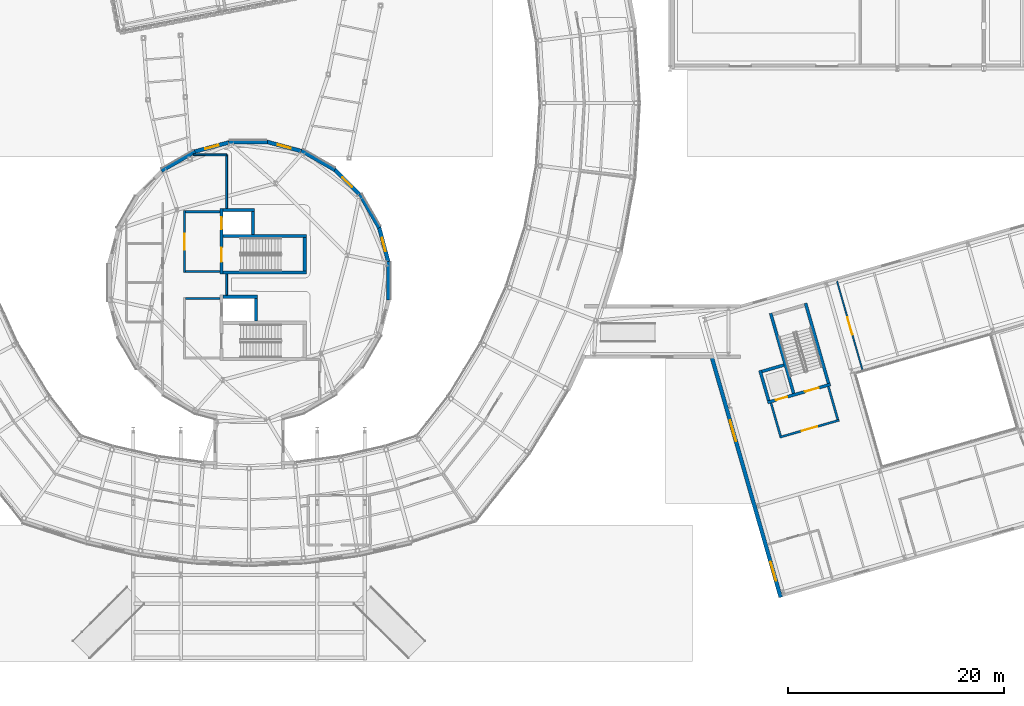
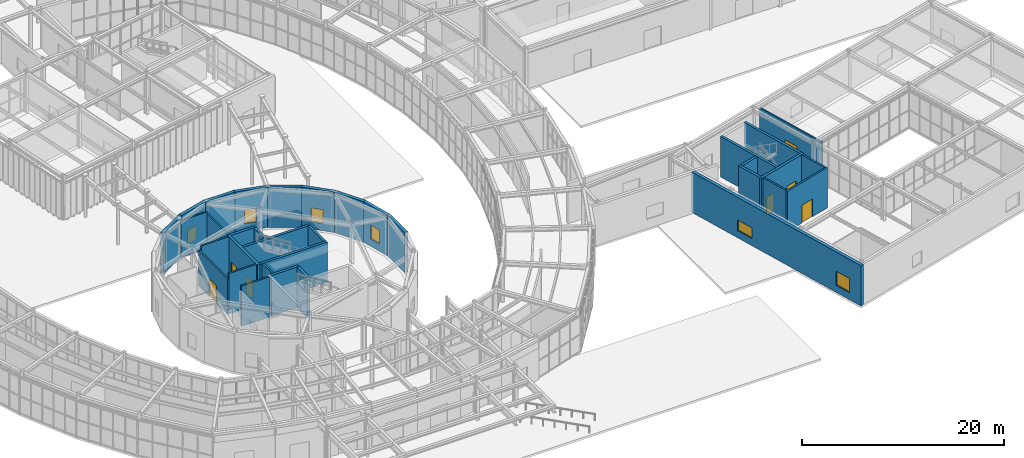
# One storey, part 73 of 97: 34 walls, 7 doors, 6 windows, 13 openings.
"""IFC4 building model written with IfcOpenShell, lengths in metres."""

from ifc_helpers import new_model, si_unit, direction, frame, frame_2d, origin, place, context, subcontext, project, spatial, rectangle, extrude, material, layer, layer_set, type_object, element, fill, save


model = new_model("IFC4")

# Units and contexts
model_context = context("Model", 3, precision=1e-05, world=origin(), true_north=direction((0.0, 1.0)))
body_context = subcontext(model_context, "Body", "Model", "MODEL_VIEW")
ifc_project = project(units=[si_unit("LENGTHUNIT", "METRE"), si_unit("AREAUNIT", "SQUARE_METRE"), si_unit("VOLUMEUNIT", "CUBIC_METRE"), si_unit("PLANEANGLEUNIT", "RADIAN"), si_unit("MASSUNIT", "GRAM", prefix="KILO")], contexts=[model_context])

# Site, building, storey
site_placement = place(None, origin())
site = spatial("IfcSite", under=ifc_project, at=site_placement, CompositionType="ELEMENT")
building_placement = place(site_placement, origin())
building = spatial("IfcBuilding", under=site, at=building_placement, Name="Varnklinge Art Gallery", CompositionType="ELEMENT")
storey_placement = place(building_placement, origin())
storey = spatial("IfcBuildingStorey", under=building, at=storey_placement, Name="L00", CompositionType="ELEMENT", Elevation=0.0)

# Walls
ifc_material_1 = material(Name="Concrete C40/50", Category="concrete")
ifc_layer_1 = layer(ifc_material_1, 0.360107421875)
ifc_layer_set_1 = layer_set([ifc_layer_1], Name="Concrete C40/50")
wall_type_1 = type_object("IfcWallType", Name="EW-36", PredefinedType="SOLIDWALL", material=ifc_layer_set_1)
wall_1_placement = place(storey_placement, frame((88.406982421875, 40.379150390625, 0.0), z_axis=(0.0, 0.0, 1.0), x_axis=(0.0, -1.0, 0.0)))
element("IfcWall", 1, at=wall_1_placement, inside=storey, type_object=wall_type_1, Name="L00 Exterior Wall EW-V4D-L00-01", PredefinedType="SOLIDWALL", context=body_context, shape_type="SweptSolid", body=[
    extrude(rectangle(XDim=3.578369140625, YDim=0.360107421875, at=frame_2d((1.7890625, 0.0))), origin(), (0.0, 0.0, 1.0), 4.8798828125),
])
wall_2_placement = place(storey_placement, frame((67.4189453125, 48.73828125, 0.0), z_axis=(0.0, 0.0, 1.0), x_axis=(0.866021986329, 0.500005919159, 0.0)))
element("IfcWall", 2, at=wall_2_placement, inside=storey, type_object=wall_type_1, Name="L00 Exterior Wall EW-V4D-L00-16", PredefinedType="SOLIDWALL", context=body_context, shape_type="SweptSolid", body=[
    extrude(rectangle(XDim=3.57861328125, YDim=0.360107421875, at=frame_2d((1.789306640625, 0.0))), origin(), (0.0, 0.0, 1.0), 4.8798828125),
])

# Wall, opening, window
wall_3_placement = place(storey_placement, frame((70.34423828125, 50.48095703125, 0.0), z_axis=(0.0, 0.0, 1.0), x_axis=(0.965936480014, 0.258779281586, 0.0)))
wall_3 = element("IfcWall", 3, at=wall_3_placement, inside=storey, type_object=wall_type_1, Name="L00 Exterior Wall EW-V4D-L00-17", PredefinedType="SOLIDWALL", context=body_context, shape_type="SweptSolid", body=[
    extrude(rectangle(XDim=3.578369140625, YDim=0.360107421875, at=frame_2d((1.7890625, 0.0))), origin(), (0.0, 0.0, 1.0), 4.8798828125),
])
opening_1_placement = place(wall_3_placement, frame((1.164306640625, 0.0, 0.85009765625)))
opening_1 = element("IfcOpeningElement", 4, at=opening_1_placement, cuts=wall_3, Name="Opening WN-09", PredefinedType="OPENING", context=body_context, shape_type="SweptSolid", body=[
    extrude(rectangle(XDim=1.25, YDim=1.699951171875, at=frame_2d((0.625, 0.85009765625))), frame((0.0, 0.190185546875, 0.0), z_axis=(0.0, -1.0, 0.0), x_axis=(1.0, 0.0, 0.0)), (0.0, 0.0, 1.0), 0.380126953125),
])
ifc_material_2 = material(Name="Insulated Low-E Triple Glazing", Category="glass")
window_type_1 = type_object("IfcWindowType", Name="WN-09", PartitioningType="SINGLE_PANEL", PredefinedType="WINDOW", material=ifc_material_2)
window_1_placement = place(opening_1_placement, origin())
window_1 = element("IfcWindow", 5, at=window_1_placement, inside=storey, type_object=window_type_1, Name="L00 Window WIN-L00-072", OverallHeight=1.699951171875, OverallWidth=1.25, PartitioningType="SINGLE_PANEL", PredefinedType="WINDOW", context=body_context, shape_type="SweptSolid", body=[
    extrude(rectangle(XDim=1.25, YDim=1.699951171875, at=frame_2d((0.625, 0.85009765625))), frame((0.0, 0.030029296875, 0.0), z_axis=(0.0, -1.0, 0.0), x_axis=(1.0, 0.0, 0.0)), (0.0, 0.0, 1.0), 0.06005859375),
])
fill(opening_1, window_1)

# Wall
wall_4_placement = place(storey_placement, frame((73.620849609375, 51.406982421875, 0.0), z_axis=(0.0, 0.0, 1.0), x_axis=(1.0, 0.0, 0.0)))
element("IfcWall", 6, at=wall_4_placement, inside=storey, type_object=wall_type_1, Name="L00 Exterior Wall EW-V4D-L00-18", PredefinedType="SOLIDWALL", context=body_context, shape_type="SweptSolid", body=[
    extrude(rectangle(XDim=3.578369140625, YDim=0.360107421875, at=frame_2d((1.7890625, 0.0))), origin(), (0.0, 0.0, 1.0), 4.8798828125),
])

# Wall, opening, window
wall_5_placement = place(storey_placement, frame((77.025390625, 51.45361328125, 0.0), z_axis=(0.0, 0.0, 1.0), x_axis=(0.965936480014, -0.258779281586, 0.0)))
wall_5 = element("IfcWall", 7, at=wall_5_placement, inside=storey, type_object=wall_type_1, Name="L00 Exterior Wall EW-V4D-L00-19", PredefinedType="SOLIDWALL", context=body_context, shape_type="SweptSolid", body=[
    extrude(rectangle(XDim=3.578369140625, YDim=0.360107421875, at=frame_2d((1.7890625, 0.0))), origin(), (0.0, 0.0, 1.0), 4.8798828125),
])
opening_2_placement = place(wall_5_placement, frame((1.164306640625, 0.0, 0.85009765625)))
opening_2 = element("IfcOpeningElement", 8, at=opening_2_placement, cuts=wall_5, Name="Opening WN-09", PredefinedType="OPENING", context=body_context, shape_type="SweptSolid", body=[
    extrude(rectangle(XDim=1.25, YDim=1.699951171875, at=frame_2d((0.625, 0.85009765625))), frame((0.0, 0.190185546875, 0.0), z_axis=(0.0, -1.0, 0.0), x_axis=(1.0, 0.0, 0.0)), (0.0, 0.0, 1.0), 0.380126953125),
])
window_2_placement = place(opening_2_placement, origin())
window_2 = element("IfcWindow", 9, at=window_2_placement, inside=storey, type_object=window_type_1, Name="L00 Window WIN-L00-073", OverallHeight=1.699951171875, OverallWidth=1.25, PartitioningType="SINGLE_PANEL", PredefinedType="WINDOW", context=body_context, shape_type="SweptSolid", body=[
    extrude(rectangle(XDim=1.25, YDim=1.699951171875, at=frame_2d((0.625, 0.85009765625))), frame((0.0, 0.030029296875, 0.0), z_axis=(0.0, -1.0, 0.0), x_axis=(1.0, 0.0, 0.0)), (0.0, 0.0, 1.0), 0.06005859375),
])
fill(opening_2, window_2)

# Wall
wall_6_placement = place(storey_placement, frame((80.325927734375, 50.617431640625, 0.0), z_axis=(0.0, 0.0, 1.0), x_axis=(0.866068579176, -0.499925210571, 0.0)))
element("IfcWall", 10, at=wall_6_placement, inside=storey, type_object=wall_type_1, Name="L00 Exterior Wall EW-V4D-L00-20", PredefinedType="SOLIDWALL", context=body_context, shape_type="SweptSolid", body=[
    extrude(rectangle(XDim=3.57861328125, YDim=0.360107421875, at=frame_2d((1.789306640625, 0.0))), origin(), (0.0, 0.0, 1.0), 4.8798828125),
])

# Wall, opening, window
wall_7_placement = place(storey_placement, frame((83.2978515625, 48.95556640625, 0.0), z_axis=(0.0, 0.0, 1.0), x_axis=(0.707140892322, -0.707072668406, 0.0)))
wall_7 = element("IfcWall", 11, at=wall_7_placement, inside=storey, type_object=wall_type_1, Name="L00 Exterior Wall EW-V4D-L00-21", PredefinedType="SOLIDWALL", context=body_context, shape_type="SweptSolid", body=[
    extrude(rectangle(XDim=3.57861328125, YDim=0.360107421875, at=frame_2d((1.789306640625, 0.0))), origin(), (0.0, 0.0, 1.0), 4.8798828125),
])
opening_3_placement = place(wall_7_placement, frame((1.164306640625, 0.0, 0.85009765625)))
opening_3 = element("IfcOpeningElement", 12, at=opening_3_placement, cuts=wall_7, Name="Opening WN-09", PredefinedType="OPENING", context=body_context, shape_type="SweptSolid", body=[
    extrude(rectangle(XDim=1.25, YDim=1.699951171875, at=frame_2d((0.625, 0.85009765625))), frame((0.0, 0.190185546875, 0.0), z_axis=(0.0, -1.0, 0.0), x_axis=(1.0, 0.0, 0.0)), (0.0, 0.0, 1.0), 0.380126953125),
])
window_3_placement = place(opening_3_placement, origin())
window_3 = element("IfcWindow", 13, at=window_3_placement, inside=storey, type_object=window_type_1, Name="L00 Window WIN-L00-074", OverallHeight=1.699951171875, OverallWidth=1.25, PartitioningType="SINGLE_PANEL", PredefinedType="WINDOW", context=body_context, shape_type="SweptSolid", body=[
    extrude(rectangle(XDim=1.25, YDim=1.699951171875, at=frame_2d((0.625, 0.85009765625))), frame((0.0, 0.030029296875, 0.0), z_axis=(0.0, -1.0, 0.0), x_axis=(1.0, 0.0, 0.0)), (0.0, 0.0, 1.0), 0.06005859375),
])
fill(opening_3, window_3)

# Wall
wall_8_placement = place(storey_placement, frame((85.73828125, 46.5810546875, 0.0), z_axis=(0.0, 0.0, 1.0), x_axis=(0.500005919159, -0.866021986329, 0.0)))
element("IfcWall", 14, at=wall_8_placement, inside=storey, type_object=wall_type_1, Name="L00 Exterior Wall EW-V4D-L00-22", PredefinedType="SOLIDWALL", context=body_context, shape_type="SweptSolid", body=[
    extrude(rectangle(XDim=3.57861328125, YDim=0.360107421875, at=frame_2d((1.789306640625, 0.0))), origin(), (0.0, 0.0, 1.0), 4.8798828125),
])

# Wall, opening, window
wall_9_placement = place(storey_placement, frame((87.48095703125, 43.65576171875, 0.0), z_axis=(0.0, 0.0, 1.0), x_axis=(0.258779281586, -0.965936480014, 0.0)))
wall_9 = element("IfcWall", 15, at=wall_9_placement, inside=storey, type_object=wall_type_1, Name="L00 Exterior Wall EW-V4D-L00-23", PredefinedType="SOLIDWALL", context=body_context, shape_type="SweptSolid", body=[
    extrude(rectangle(XDim=3.578369140625, YDim=0.360107421875, at=frame_2d((1.7890625, 0.0))), origin(), (0.0, 0.0, 1.0), 4.8798828125),
])
opening_4_placement = place(wall_9_placement, frame((1.164306640625, 0.0, 0.85009765625)))
opening_4 = element("IfcOpeningElement", 16, at=opening_4_placement, cuts=wall_9, Name="Opening WN-09", PredefinedType="OPENING", context=body_context, shape_type="SweptSolid", body=[
    extrude(rectangle(XDim=1.25, YDim=1.699951171875, at=frame_2d((0.625, 0.85009765625))), frame((0.0, 0.190185546875, 0.0), z_axis=(0.0, -1.0, 0.0), x_axis=(1.0, 0.0, 0.0)), (0.0, 0.0, 1.0), 0.380126953125),
])
window_4_placement = place(opening_4_placement, origin())
window_4 = element("IfcWindow", 17, at=window_4_placement, inside=storey, type_object=window_type_1, Name="L00 Window WIN-L00-075", OverallHeight=1.699951171875, OverallWidth=1.25, PartitioningType="SINGLE_PANEL", PredefinedType="WINDOW", context=body_context, shape_type="SweptSolid", body=[
    extrude(rectangle(XDim=1.25, YDim=1.699951171875, at=frame_2d((0.625, 0.85009765625))), frame((0.0, 0.030029296875, 0.0), z_axis=(0.0, -1.0, 0.0), x_axis=(1.0, 0.0, 0.0)), (0.0, 0.0, 1.0), 0.06005859375),
])
fill(opening_4, window_4)

# Wall, openings, windows
wall_10_placement = place(storey_placement, frame((124.630126953125, 9.33544921875, 0.0), z_axis=(0.0, 0.0, 1.0), x_axis=(-0.275639059054, 0.961261207541, 0.0)))
wall_10 = element("IfcWall", 18, at=wall_10_placement, inside=storey, type_object=wall_type_1, Name="L00 Exterior Wall EW-V6-L00-01", PredefinedType="SOLIDWALL", context=body_context, shape_type="SweptSolid", body=[
    extrude(rectangle(XDim=23.28662109375, YDim=0.360107421875, at=frame_2d((11.643310546875, 0.0))), origin(), (0.0, 0.0, 1.0), 4.8798828125),
])
opening_5_placement = place(wall_10_placement, frame((1.60009765625, 0.0, 0.85009765625)))
opening_5 = element("IfcOpeningElement", 19, at=opening_5_placement, cuts=wall_10, Name="Opening WN-11", PredefinedType="OPENING", context=body_context, shape_type="SweptSolid", body=[
    extrude(rectangle(XDim=1.800048828125, YDim=1.699951171875, at=frame_2d((0.89990234375, 0.85009765625))), frame((0.0, 0.190185546875, 0.0), z_axis=(0.0, -1.0, 0.0), x_axis=(1.0, 0.0, 0.0)), (0.0, 0.0, 1.0), 0.380126953125),
])
opening_6_placement = place(wall_10_placement, frame((14.9912109375, 0.0, 0.85009765625)))
opening_6 = element("IfcOpeningElement", 20, at=opening_6_placement, cuts=wall_10, Name="Opening WN-18", PredefinedType="OPENING", context=body_context, shape_type="SweptSolid", body=[
    extrude(rectangle(XDim=2.0, YDim=1.300048828125, at=frame_2d((1.0, 0.64990234375))), frame((0.0, 0.190185546875, 0.0), z_axis=(0.0, -1.0, 0.0), x_axis=(1.0, 0.0, 0.0)), (0.0, 0.0, 1.0), 0.380126953125),
])
ifc_material_3 = material(Name="Insulated Low-E Triple Glazing", Category="glass")
window_type_2 = type_object("IfcWindowType", Name="WN-11", PartitioningType="SINGLE_PANEL", PredefinedType="WINDOW", material=ifc_material_3)
window_5_placement = place(opening_5_placement, origin())
window_5 = element("IfcWindow", 21, at=window_5_placement, inside=storey, type_object=window_type_2, Name="L00 Window WIN-L00-151", OverallHeight=1.699951171875, OverallWidth=1.800048828125, PartitioningType="SINGLE_PANEL", PredefinedType="WINDOW", context=body_context, shape_type="SweptSolid", body=[
    extrude(rectangle(XDim=1.800048828125, YDim=1.699951171875, at=frame_2d((0.89990234375, 0.85009765625))), frame((0.0, 0.030029296875, 0.0), z_axis=(0.0, -1.0, 0.0), x_axis=(1.0, 0.0, 0.0)), (0.0, 0.0, 1.0), 0.06005859375),
])
fill(opening_5, window_5)
ifc_material_4 = material(Name="Insulated Low-E Triple Glazing", Category="glass")
window_type_3 = type_object("IfcWindowType", Name="WN-18", PartitioningType="SINGLE_PANEL", PredefinedType="WINDOW", material=ifc_material_4)
window_6_placement = place(opening_6_placement, origin())
window_6 = element("IfcWindow", 22, at=window_6_placement, inside=storey, type_object=window_type_3, Name="L00 Window WIN-L00-152", OverallHeight=1.300048828125, OverallWidth=2.0, PartitioningType="SINGLE_PANEL", PredefinedType="WINDOW", context=body_context, shape_type="SweptSolid", body=[
    extrude(rectangle(XDim=2.0, YDim=1.300048828125, at=frame_2d((1.0, 0.64990234375))), frame((0.0, 0.030029296875, 0.0), z_axis=(0.0, -1.0, 0.0), x_axis=(1.0, 0.0, 0.0)), (0.0, 0.0, 1.0), 0.06005859375),
])
fill(opening_6, window_6)

# Wall, opening, door
ifc_material_5 = material(Name="Gypsum Board Partition", Category="gypsum")
ifc_layer_2 = layer(ifc_material_5, 0.14990234375)
ifc_layer_set_2 = layer_set([ifc_layer_2], Name="Gypsum Board Partition")
wall_type_2 = type_object("IfcWallType", Name="IW-15", PredefinedType="PARTITIONING", material=ifc_layer_set_2)
wall_11_placement = place(storey_placement, frame((129.832763671875, 38.53662109375, 0.0), z_axis=(0.0, 0.0, 1.0), x_axis=(0.275644856816, -0.96125954503, 0.0)))
wall_11 = element("IfcWall", 23, at=wall_11_placement, inside=storey, type_object=wall_type_2, Name="L00 Partition Wall IW-L00-0119", PredefinedType="PARTITIONING", context=body_context, shape_type="SweptSolid", body=[
    extrude(rectangle(XDim=8.5859375, YDim=0.14990234375, at=frame_2d((4.29296875, 0.0))), origin(), (0.0, 0.0, 1.0), 4.3701171875),
])
opening_7_placement = place(wall_11_placement, frame((3.472900390625, 0.0, 0.0)))
opening_7 = element("IfcOpeningElement", 24, at=opening_7_placement, cuts=wall_11, Name="Opening D-L00-169", PredefinedType="OPENING", context=body_context, shape_type="SweptSolid", body=[
    extrude(rectangle(XDim=1.639892578125, YDim=2.199951171875, at=frame_2d((0.81982421875, 1.10009765625))), frame((0.0, 0.0849609375, 0.0), z_axis=(0.0, -1.0, 0.0), x_axis=(1.0, 0.0, 0.0)), (0.0, 0.0, 1.0), 0.169921875),
])
ifc_material_6 = material(Name="Oak Timber Leaf", Category="wood")
door_type_1 = type_object("IfcDoorType", Name="ID-08", OperationType="DOUBLE_DOOR_SINGLE_SWING", PredefinedType="DOOR", material=ifc_material_6)
door_1_placement = place(opening_7_placement, origin())
door_1 = element("IfcDoor", 25, at=door_1_placement, inside=storey, type_object=door_type_1, Name="L00 L00 Art Library Reading Hall Door D-L00-169", OperationType="DOUBLE_DOOR_SINGLE_SWING", OverallHeight=2.199951171875, OverallWidth=1.639892578125, PredefinedType="DOOR", context=body_context, shape_type="SweptSolid", body=[
    extrude(rectangle(XDim=1.639892578125, YDim=2.199951171875, at=frame_2d((0.81982421875, 1.10009765625))), frame((0.0, 0.02490234375, 0.0), z_axis=(0.0, -1.0, 0.0), x_axis=(1.0, 0.0, 0.0)), (0.0, 0.0, 1.0), 0.050048828125),
])
fill(opening_7, door_1)

# Walls
ifc_material_7 = material(Name="Gypsum Board Partition", Category="gypsum")
ifc_layer_3 = layer(ifc_material_7, 0.179931640625)
ifc_layer_set_3 = layer_set([ifc_layer_3], Name="Gypsum Board Partition")
wall_type_3 = type_object("IfcWallType", Name="IW-18", PredefinedType="PARTITIONING", material=ifc_layer_set_3)
wall_12_placement = place(storey_placement, frame((70.370849609375, 50.22998046875, 0.0), z_axis=(0.0, 0.0, 1.0), x_axis=(0.999990682353, -0.004316851615, 0.0)))
element("IfcWall", 26, at=wall_12_placement, inside=storey, type_object=wall_type_3, Name="L00 Partition Wall IW-L00-0101", PredefinedType="PARTITIONING", context=body_context, shape_type="SweptSolid", body=[
    extrude(rectangle(XDim=3.053955078125, YDim=0.179931640625, at=frame_2d((1.52685546875, 0.0))), origin(), (0.0, 0.0, 1.0), 4.469970703125),
])
wall_13_placement = place(storey_placement, frame((73.4248046875, 50.216796875, 0.0), z_axis=(0.0, 0.0, 1.0), x_axis=(0.0010330573, -0.999999466396, 0.0)))
element("IfcWall", 27, at=wall_13_placement, inside=storey, type_object=wall_type_3, Name="L00 Partition Wall IW-L00-0102", PredefinedType="PARTITIONING", context=body_context, shape_type="SweptSolid", body=[
    extrude(rectangle(XDim=4.962890625, YDim=0.179931640625, at=frame_2d((2.4814453125, 0.0))), origin(), (0.0, 0.0, 1.0), 4.27001953125),
])
wall_14_placement = place(storey_placement, frame((73.429931640625, 39.2060546875, 0.0), z_axis=(0.0, 0.0, 1.0), x_axis=(0.0, -1.0, 0.0)))
element("IfcWall", 28, at=wall_14_placement, inside=storey, type_object=wall_type_3, Name="L00 Partition Wall IW-L00-0103", PredefinedType="PARTITIONING", context=body_context, shape_type="SweptSolid", body=[
    extrude(rectangle(XDim=1.942138671875, YDim=0.179931640625, at=frame_2d((0.97119140625, 0.0))), origin(), (0.0, 0.0, 1.0), 4.8701171875),
])
ifc_material_8 = material(Name="Concrete C40/50", Category="concrete")
ifc_layer_4 = layer(ifc_material_8, 0.199951171875)
ifc_layer_set_4 = layer_set([ifc_layer_4], Name="Concrete C40/50")
wall_type_4 = type_object("IfcWallType", Name="IW-20", PredefinedType="PARTITIONING", material=ifc_layer_set_4)
for number, where, z_axis, x_axis, name in (
    (29, (72.800048828125, 36.9599609375, 0.0), (0.0, 0.0, 1.0), (-1.0, 0.0, 0.0), "L00 Core C1 Lobby North Wall"),
    (30, (69.64990234375, 39.449951171875, 0.0), (0.0, 0.0, 1.0), (1.0, 0.0, 0.0), "L00 Core C2 Lobby South Wall"),
    (31, (72.800048828125, 44.9599609375, 0.0), (0.0, 0.0, 1.0), (-1.0, 0.0, 0.0), "L00 Core C2 Lobby North Wall"),
):
    element("IfcWall", number, at=place(storey_placement, frame(where, z_axis=z_axis, x_axis=x_axis)), inside=storey, type_object=wall_type_4, Name=name, PredefinedType="PARTITIONING", context=body_context, shape_type="SweptSolid", body=[
        extrude(rectangle(XDim=3.150146484375, YDim=0.199951171875, at=frame_2d((1.5751953125, 0.0))), origin(), (0.0, 0.0, 1.0), 4.8798828125),
    ])

# Wall, opening, door
wall_15_placement = place(storey_placement, frame((69.550048828125, 39.35009765625, 0.0), z_axis=(0.0, 0.0, 1.0), x_axis=(0.0, 1.0, 0.0)))
wall_15 = element("IfcWall", 32, at=wall_15_placement, inside=storey, type_object=wall_type_4, Name="L00 Core C2 Lobby Corridor Wall", PredefinedType="PARTITIONING", context=body_context, shape_type="SweptSolid", body=[
    extrude(rectangle(XDim=5.7099609375, YDim=0.199951171875, at=frame_2d((2.85498046875, 0.0))), origin(), (0.0, 0.0, 1.0), 4.27001953125),
])
opening_8_placement = place(wall_15_placement, frame((2.114990234375, 0.0, 0.0)))
opening_8 = element("IfcOpeningElement", 33, at=opening_8_placement, cuts=wall_15, Name="Opening D-L00-030", PredefinedType="OPENING", context=body_context, shape_type="SweptSolid", body=[
    extrude(rectangle(XDim=1.47998046875, YDim=2.14990234375, at=frame_2d((0.739990234375, 1.074951171875))), frame((0.0, 0.110107421875, 0.0), z_axis=(0.0, -1.0, 0.0), x_axis=(1.0, 0.0, 0.0)), (0.0, 0.0, 1.0), 0.219970703125),
])
ifc_material_9 = material(Name="Galvanised Fire-Rated Steel", Category="steel")
door_type_2 = type_object("IfcDoorType", Name="ID-LB1", OperationType="DOUBLE_DOOR_SINGLE_SWING", PredefinedType="DOOR", material=ifc_material_9)
door_2_placement = place(opening_8_placement, origin())
door_2 = element("IfcDoor", 34, at=door_2_placement, inside=storey, type_object=door_type_2, Name="L00 Core C2 Protected Lobby Door D-L00-030", OperationType="DOUBLE_DOOR_SINGLE_SWING", OverallHeight=2.14990234375, OverallWidth=1.47998046875, PredefinedType="DOOR", context=body_context, shape_type="SweptSolid", body=[
    extrude(rectangle(XDim=1.47998046875, YDim=2.14990234375, at=frame_2d((0.739990234375, 1.074951171875))), frame((0.0, 0.02490234375, 0.0), z_axis=(0.0, -1.0, 0.0), x_axis=(1.0, 0.0, 0.0)), (0.0, 0.0, 1.0), 0.050048828125),
])
fill(opening_8, door_2)

# Walls
for number, where, z_axis, x_axis, name in (
    (35, (129.902587890625, 25.767578125, 0.0), (0.0, 0.0, 1.0), (-0.275601331974, 0.961272024879, 0.0), "L00 Core C5 Lobby South Wall"),
    (36, (123.73779296875, 27.27685546875, 0.0), (0.0, 0.0, 1.0), (0.275672946026, -0.961251489897, 0.0), "L00 Core C5 Lobby North Wall"),
):
    element("IfcWall", number, at=place(storey_placement, frame(where, z_axis=z_axis, x_axis=x_axis)), inside=storey, type_object=wall_type_4, Name=name, PredefinedType="PARTITIONING", context=body_context, shape_type="SweptSolid", body=[
        extrude(rectangle(XDim=3.150146484375, YDim=0.199951171875, at=frame_2d((1.5751953125, 0.0))), origin(), (0.0, 0.0, 1.0), 4.8798828125),
    ])

# Wall, opening, door
wall_16_placement = place(storey_placement, frame((130.0263671875, 25.69921875, 0.0), z_axis=(0.0, 0.0, 1.0), x_axis=(-0.961257274888, -0.275652773383, 0.0)))
wall_16 = element("IfcWall", 37, at=wall_16_placement, inside=storey, type_object=wall_type_4, Name="L00 Core C5 Lobby Corridor Wall", PredefinedType="PARTITIONING", context=body_context, shape_type="SweptSolid", body=[
    extrude(rectangle(XDim=5.7099609375, YDim=0.199951171875, at=frame_2d((2.85498046875, 0.0))), origin(), (0.0, 0.0, 1.0), 4.8798828125),
])
opening_9_placement = place(wall_16_placement, frame((2.114990234375, 0.0, 0.0)))
opening_9 = element("IfcOpeningElement", 38, at=opening_9_placement, cuts=wall_16, Name="Opening D-L00-075", PredefinedType="OPENING", context=body_context, shape_type="SweptSolid", body=[
    extrude(rectangle(XDim=1.47998046875, YDim=2.14990234375, at=frame_2d((0.739990234375, 1.074951171875))), frame((0.0, 0.110107421875, 0.0), z_axis=(0.0, -1.0, 0.0), x_axis=(1.0, 0.0, 0.0)), (0.0, 0.0, 1.0), 0.219970703125),
])
door_3_placement = place(opening_9_placement, origin())
door_3 = element("IfcDoor", 39, at=door_3_placement, inside=storey, type_object=door_type_2, Name="L00 Core C5 Protected Lobby Door D-L00-075", OperationType="DOUBLE_DOOR_SINGLE_SWING", OverallHeight=2.14990234375, OverallWidth=1.47998046875, PredefinedType="DOOR", context=body_context, shape_type="SweptSolid", body=[
    extrude(rectangle(XDim=1.47998046875, YDim=2.14990234375, at=frame_2d((0.739990234375, 1.074951171875))), frame((0.0, 0.02490234375, 0.0), z_axis=(0.0, -1.0, 0.0), x_axis=(1.0, 0.0, 0.0)), (0.0, 0.0, 1.0), 0.050048828125),
])
fill(opening_9, door_3)

# Walls
ifc_material_10 = material(Name="Concrete C40/50", Category="concrete")
ifc_layer_5 = layer(ifc_material_10, 0.280029296875)
ifc_layer_set_5 = layer_set([ifc_layer_5], Name="Concrete C40/50")
wall_type_5 = type_object("IfcWallType", Name="SW-28", PredefinedType="SHEAR", material=ifc_layer_set_5)
wall_17_placement = place(storey_placement, frame((73.090087890625, 39.35009765625, 0.0), z_axis=(0.0, 0.0, 1.0), x_axis=(1.0, 0.0, 0.0)))
element("IfcWall", 40, at=wall_17_placement, inside=storey, type_object=wall_type_5, Name="L00 Core C2 South Shear Wall", PredefinedType="SHEAR", context=body_context, shape_type="SweptSolid", body=[
    extrude(rectangle(XDim=7.699951171875, YDim=0.280029296875, at=frame_2d((3.85009765625, 0.0))), origin(), (0.0, 0.0, 1.0), 4.8798828125),
])
wall_18_placement = place(storey_placement, frame((80.64990234375, 39.489990234375, 0.0), z_axis=(0.0, 0.0, 1.0), x_axis=(0.0, 1.0, 0.0)))
element("IfcWall", 41, at=wall_18_placement, inside=storey, type_object=wall_type_5, Name="L00 Core C2 East Shear Wall", PredefinedType="SHEAR", context=body_context, shape_type="SweptSolid", body=[
    extrude(rectangle(XDim=3.080078125, YDim=0.280029296875, at=frame_2d((1.5400390625, 0.0))), origin(), (0.0, 0.0, 1.0), 4.8798828125),
])
wall_19_placement = place(storey_placement, frame((80.7900390625, 42.7099609375, 0.0), z_axis=(0.0, 0.0, 1.0), x_axis=(-1.0, 0.0, 0.0)))
element("IfcWall", 42, at=wall_19_placement, inside=storey, type_object=wall_type_5, Name="L00 Core C2 Dividing Shear Wall", PredefinedType="SHEAR", context=body_context, shape_type="SweptSolid", body=[
    extrude(rectangle(XDim=7.699951171875, YDim=0.280029296875, at=frame_2d((3.85009765625, 0.0))), origin(), (0.0, 0.0, 1.0), 4.8798828125),
])
wall_20_placement = place(storey_placement, frame((75.85009765625, 42.85009765625, 0.0), z_axis=(0.0, 0.0, 1.0), x_axis=(0.0, 1.0, 0.0)))
element("IfcWall", 43, at=wall_20_placement, inside=storey, type_object=wall_type_5, Name="L00 Core C2 Lift East Shear Wall", PredefinedType="SHEAR", context=body_context, shape_type="SweptSolid", body=[
    extrude(rectangle(XDim=2.119873046875, YDim=0.280029296875, at=frame_2d((1.06005859375, 0.0))), origin(), (0.0, 0.0, 1.0), 4.8798828125),
])
wall_21_placement = place(storey_placement, frame((75.989990234375, 45.110107421875, 0.0), z_axis=(0.0, 0.0, 1.0), x_axis=(-1.0, 0.0, 0.0)))
element("IfcWall", 44, at=wall_21_placement, inside=storey, type_object=wall_type_5, Name="L00 Core C2 Lift North Shear Wall", PredefinedType="SHEAR", context=body_context, shape_type="SweptSolid", body=[
    extrude(rectangle(XDim=2.89990234375, YDim=0.280029296875, at=frame_2d((1.449951171875, 0.0))), origin(), (0.0, 0.0, 1.0), 4.8798828125),
])

# Wall, openings, doors
wall_22_placement = place(storey_placement, frame((72.949951171875, 45.25, 0.0), z_axis=(0.0, 0.0, 1.0), x_axis=(0.0, -1.0, 0.0)))
wall_22 = element("IfcWall", 45, at=wall_22_placement, inside=storey, type_object=wall_type_5, Name="L00 Core C2 Front Shear Wall", PredefinedType="SHEAR", context=body_context, shape_type="SweptSolid", body=[
    extrude(rectangle(XDim=6.0400390625, YDim=0.280029296875, at=frame_2d((3.02001953125, 0.0))), origin(), (0.0, 0.0, 1.0), 4.8798828125),
])
opening_10_placement = place(wall_22_placement, frame((0.800048828125, 0.0, 0.0)))
opening_10 = element("IfcOpeningElement", 46, at=opening_10_placement, cuts=wall_22, Name="Opening LD-L00-028", PredefinedType="OPENING", context=body_context, shape_type="SweptSolid", body=[
    extrude(rectangle(XDim=1.10009765625, YDim=2.1201171875, at=frame_2d((0.550048828125, 1.06005859375))), frame((0.0, 0.150146484375, 0.0), z_axis=(0.0, -1.0, 0.0), x_axis=(1.0, 0.0, 0.0)), (0.0, 0.0, 1.0), 0.300048828125),
])
opening_11_placement = place(wall_22_placement, frame((3.60009765625, 0.0, 0.0)))
opening_11 = element("IfcOpeningElement", 47, at=opening_11_placement, cuts=wall_22, Name="Opening D-L00-029", PredefinedType="OPENING", context=body_context, shape_type="SweptSolid", body=[
    extrude(rectangle(XDim=1.320068359375, YDim=2.1201171875, at=frame_2d((0.66015625, 1.06005859375))), frame((0.0, 0.150146484375, 0.0), z_axis=(0.0, -1.0, 0.0), x_axis=(1.0, 0.0, 0.0)), (0.0, 0.0, 1.0), 0.300048828125),
])
ifc_material_11 = material(Name="Galvanised Fire-Rated Steel", Category="steel")
door_type_3 = type_object("IfcDoorType", Name="ID-ST1", OperationType="SINGLE_SWING_LEFT", PredefinedType="DOOR", material=ifc_material_11)
door_4_placement = place(opening_11_placement, origin())
door_4 = element("IfcDoor", 48, at=door_4_placement, inside=storey, type_object=door_type_3, Name="L00 Stair ST-02 Fire Door D-L00-029", OperationType="SINGLE_SWING_RIGHT", OverallHeight=2.1201171875, OverallWidth=1.320068359375, PredefinedType="DOOR", context=body_context, shape_type="SweptSolid", body=[
    extrude(rectangle(XDim=1.320068359375, YDim=2.1201171875, at=frame_2d((0.66015625, 1.06005859375))), frame((0.0, 0.02490234375, 0.0), z_axis=(0.0, -1.0, 0.0), x_axis=(1.0, 0.0, 0.0)), (0.0, 0.0, 1.0), 0.050048828125),
])
fill(opening_11, door_4)
ifc_material_12 = material(Name="Anodised Aluminium", Category="aluminium")
door_type_4 = type_object("IfcDoorType", Name="LD-PAX", OperationType="SLIDING_TO_LEFT", PredefinedType="DOOR", material=ifc_material_12)
door_5_placement = place(opening_10_placement, origin())
door_5 = element("IfcDoor", 49, at=door_5_placement, inside=storey, type_object=door_type_4, Name="L00 LF-02 Sliding Landing Door LD-L00-028", OperationType="SLIDING_TO_LEFT", OverallHeight=2.1201171875, OverallWidth=1.10009765625, PredefinedType="DOOR", context=body_context, shape_type="SweptSolid", body=[
    extrude(rectangle(XDim=1.10009765625, YDim=2.1201171875, at=frame_2d((0.550048828125, 1.06005859375))), frame((0.0, 0.02490234375, 0.0), z_axis=(0.0, -1.0, 0.0), x_axis=(1.0, 0.0, 0.0)), (0.0, 0.0, 1.0), 0.050048828125),
])
fill(opening_10, door_5)

# Walls
wall_23_placement = place(storey_placement, frame((129.050537109375, 29.10205078125, 0.0), z_axis=(0.0, 0.0, 1.0), x_axis=(-0.275629742399, 0.961263879018, 0.0)))
element("IfcWall", 50, at=wall_23_placement, inside=storey, type_object=wall_type_5, Name="L00 Core C5 South Shear Wall", PredefinedType="SHEAR", context=body_context, shape_type="SweptSolid", body=[
    extrude(rectangle(XDim=7.699951171875, YDim=0.280029296875, at=frame_2d((3.85009765625, 0.0))), origin(), (0.0, 0.0, 1.0), 4.8798828125),
])
wall_24_placement = place(storey_placement, frame((123.6982421875, 35.57763671875, 0.0), z_axis=(0.0, 0.0, 1.0), x_axis=(0.275650638876, -0.961257886983, 0.0)))
element("IfcWall", 51, at=wall_24_placement, inside=storey, type_object=wall_type_5, Name="L00 Core C5 Dividing Shear Wall", PredefinedType="SHEAR", context=body_context, shape_type="SweptSolid", body=[
    extrude(rectangle(XDim=7.7001953125, YDim=0.280029296875, at=frame_2d((3.85009765625, 0.0))), origin(), (0.0, 0.0, 1.0), 4.8798828125),
])
wall_25_placement = place(storey_placement, frame((124.92529296875, 30.790283203125, 0.0), z_axis=(0.0, 0.0, 1.0), x_axis=(-0.96127584502, -0.275588007324, 0.0)))
element("IfcWall", 52, at=wall_25_placement, inside=storey, type_object=wall_type_5, Name="L00 Core C5 Lift East Shear Wall", PredefinedType="SHEAR", context=body_context, shape_type="SweptSolid", body=[
    extrude(rectangle(XDim=2.119873046875, YDim=0.280029296875, at=frame_2d((1.06005859375, 0.0))), origin(), (0.0, 0.0, 1.0), 4.8798828125),
])
wall_26_placement = place(storey_placement, frame((122.71435546875, 30.302001953125, 0.0), z_axis=(0.0, 0.0, 1.0), x_axis=(0.275632780503, -0.961263007877, 0.0)))
element("IfcWall", 53, at=wall_26_placement, inside=storey, type_object=wall_type_5, Name="L00 Core C5 Lift North Shear Wall", PredefinedType="SHEAR", context=body_context, shape_type="SweptSolid", body=[
    extrude(rectangle(XDim=2.89990234375, YDim=0.280029296875, at=frame_2d((1.449951171875, 0.0))), origin(), (0.0, 0.0, 1.0), 4.8798828125),
])

# Wall, openings, doors
wall_27_placement = place(storey_placement, frame((123.417724609375, 27.341064453125, 0.0), z_axis=(0.0, 0.0, 1.0), x_axis=(0.961255042521, 0.275660557985, 0.0)))
wall_27 = element("IfcWall", 54, at=wall_27_placement, inside=storey, type_object=wall_type_5, Name="L00 Core C5 Front Shear Wall", PredefinedType="SHEAR", context=body_context, shape_type="SweptSolid", body=[
    extrude(rectangle(XDim=6.040283203125, YDim=0.280029296875, at=frame_2d((3.02001953125, 0.0))), origin(), (0.0, 0.0, 1.0), 4.8798828125),
])
opening_12_placement = place(wall_27_placement, frame((0.800048828125, 0.0, 0.0)))
opening_12 = element("IfcOpeningElement", 55, at=opening_12_placement, cuts=wall_27, Name="Opening LD-L00-073", PredefinedType="OPENING", context=body_context, shape_type="SweptSolid", body=[
    extrude(rectangle(XDim=1.10009765625, YDim=2.1201171875, at=frame_2d((0.550048828125, 1.06005859375))), frame((0.0, 0.150146484375, 0.0), z_axis=(0.0, -1.0, 0.0), x_axis=(1.0, 0.0, 0.0)), (0.0, 0.0, 1.0), 0.300048828125),
])
opening_13_placement = place(wall_27_placement, frame((3.60009765625, 0.0, 0.0)))
opening_13 = element("IfcOpeningElement", 56, at=opening_13_placement, cuts=wall_27, Name="Opening D-L00-074", PredefinedType="OPENING", context=body_context, shape_type="SweptSolid", body=[
    extrude(rectangle(XDim=1.320068359375, YDim=2.1201171875, at=frame_2d((0.66015625, 1.06005859375))), frame((0.0, 0.150146484375, 0.0), z_axis=(0.0, -1.0, 0.0), x_axis=(1.0, 0.0, 0.0)), (0.0, 0.0, 1.0), 0.300048828125),
])
door_6_placement = place(opening_13_placement, origin())
door_6 = element("IfcDoor", 57, at=door_6_placement, inside=storey, type_object=door_type_3, Name="L00 Stair ST-05 Fire Door D-L00-074", OperationType="SINGLE_SWING_RIGHT", OverallHeight=2.1201171875, OverallWidth=1.320068359375, PredefinedType="DOOR", context=body_context, shape_type="SweptSolid", body=[
    extrude(rectangle(XDim=1.320068359375, YDim=2.1201171875, at=frame_2d((0.66015625, 1.06005859375))), frame((0.0, 0.02490234375, 0.0), z_axis=(0.0, -1.0, 0.0), x_axis=(1.0, 0.0, 0.0)), (0.0, 0.0, 1.0), 0.050048828125),
])
fill(opening_13, door_6)
door_7_placement = place(opening_12_placement, origin())
door_7 = element("IfcDoor", 58, at=door_7_placement, inside=storey, type_object=door_type_4, Name="L00 LF-04 Sliding Landing Door LD-L00-073", OperationType="SLIDING_TO_LEFT", OverallHeight=2.1201171875, OverallWidth=1.10009765625, PredefinedType="DOOR", context=body_context, shape_type="SweptSolid", body=[
    extrude(rectangle(XDim=1.10009765625, YDim=2.1201171875, at=frame_2d((0.550048828125, 1.06005859375))), frame((0.0, 0.02490234375, 0.0), z_axis=(0.0, -1.0, 0.0), x_axis=(1.0, 0.0, 0.0)), (0.0, 0.0, 1.0), 0.050048828125),
])
fill(opening_12, door_7)

# Walls
ifc_material_13 = material(Name="Concrete C40/50", Category="concrete")
ifc_layer_6 = layer(ifc_material_13, 0.300048828125)
ifc_layer_set_6 = layer_set([ifc_layer_6], Name="Concrete C40/50")
wall_type_6 = type_object("IfcWallType", Name="SW-30", PredefinedType="SHEAR", material=ifc_layer_set_6)
wall_28_placement = place(storey_placement, frame((76.14990234375, 34.860107421875, 0.0), z_axis=(0.0, 0.0, 1.0), x_axis=(0.0, 1.0, 0.0)))
element("IfcWall", 59, at=wall_28_placement, inside=storey, type_object=wall_type_6, Name="L00 Core C1 Lift East Shear Wall", PredefinedType="SHEAR", context=body_context, shape_type="SweptSolid", body=[
    extrude(rectangle(XDim=2.099853515625, YDim=0.300048828125, at=frame_2d((1.0498046875, 0.0))), origin(), (0.0, 0.0, 1.0), 4.8798828125),
])
wall_29_placement = place(storey_placement, frame((76.300048828125, 37.110107421875, 0.0), z_axis=(0.0, 0.0, 1.0), x_axis=(-1.0, 0.0, 0.0)))
element("IfcWall", 60, at=wall_29_placement, inside=storey, type_object=wall_type_6, Name="L00 Core C1 Lift North Shear Wall", PredefinedType="SHEAR", context=body_context, shape_type="SweptSolid", body=[
    extrude(rectangle(XDim=3.199951171875, YDim=0.300048828125, at=frame_2d((1.60009765625, 0.0))), origin(), (0.0, 0.0, 1.0), 4.8798828125),
])

save(model, "model.ifc")
